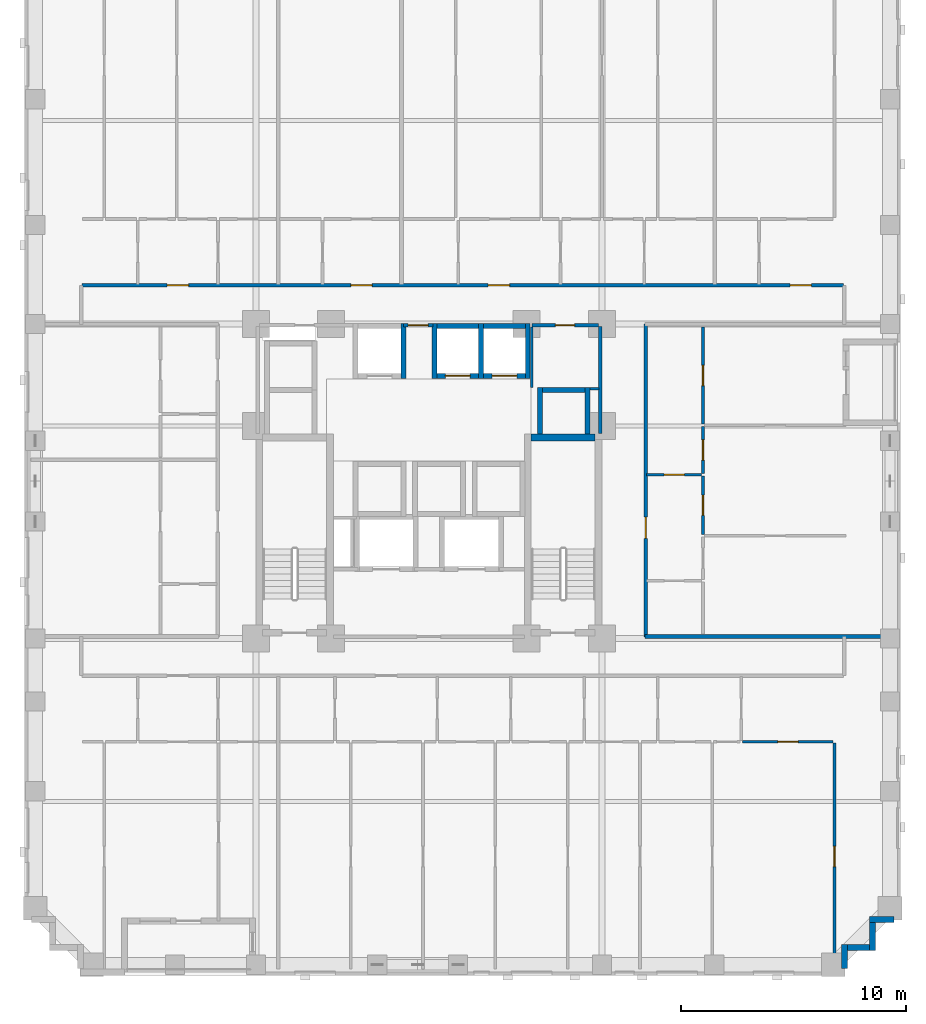
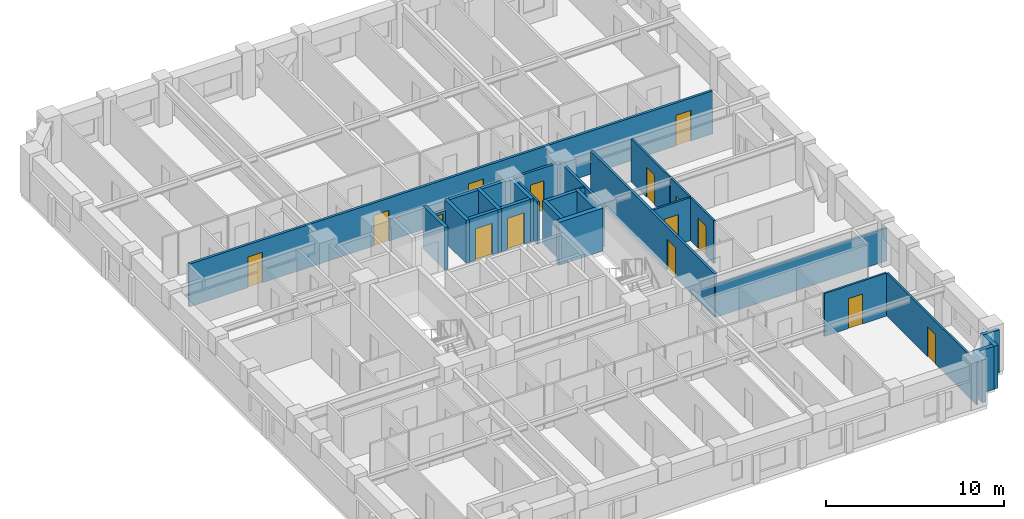
# One storey, part 6 of 14: 30 walls, 15 doors, 15 openings.
"""IFC4 building model written with IfcOpenShell, lengths in metres."""

from ifc_helpers import new_model, si_unit, derived_unit, direction, frame, frame_2d, origin, place, context, subcontext, project, spatial, rectangle, extrude, material, layer, layer_set, type_object, element, fill, save


model = new_model("IFC4")

# Units and contexts
model_context = context("Model", 3, precision=1e-05, world=origin(), true_north=direction((0.0, 1.0)))
body_context = subcontext(model_context, "Body", "Model", "MODEL_VIEW")
ifc_project = project(units=[si_unit("LENGTHUNIT", "METRE"), si_unit("AREAUNIT", "SQUARE_METRE"), si_unit("VOLUMEUNIT", "CUBIC_METRE"), si_unit("PLANEANGLEUNIT", "RADIAN"), si_unit("MASSUNIT", "GRAM", prefix="KILO"), derived_unit("THERMALTRANSMITTANCEUNIT", [(si_unit("MASSUNIT", "GRAM", prefix="KILO"), 1), (si_unit("TIMEUNIT", "SECOND"), -3), (si_unit("THERMODYNAMICTEMPERATUREUNIT", "KELVIN"), -1)])], contexts=[model_context])

# Site, building, storey
site_placement = place(None, origin())
site = spatial("IfcSite", under=ifc_project, at=site_placement, CompositionType="ELEMENT")
building_placement = place(site_placement, origin())
building = spatial("IfcBuilding", under=site, at=building_placement, Name="Korrvale Station Residences", CompositionType="ELEMENT")
storey_placement = place(building_placement, frame((0.0, 0.0, 64.199951171875)))
storey = spatial("IfcBuildingStorey", under=building, at=storey_placement, Name="L17", CompositionType="ELEMENT", Elevation=64.199951171875)

# Walls
ifc_material_1 = material(Name="Concrete C70/85", Category="concrete")
ifc_layer_1 = layer(ifc_material_1, 0.300048828125, Name="Concrete C70/85")
ifc_layer_set_1 = layer_set([ifc_layer_1], Name="Concrete C70/85")
wall_type_1 = type_object("IfcWallType", Name="WAL-CORE-300-C70", PredefinedType="SHEAR", material=ifc_layer_set_1)
wall_1_placement = place(storey_placement, frame((30.050048828125, 23.949951171875, 0.0), z_axis=(0.0, 0.0, 1.0), x_axis=(1.0, 0.0, 0.0)))
element("IfcWall", 1, at=wall_1_placement, inside=storey, type_object=wall_type_1, Name="L17 ST-2 Core Shear Wall North", PredefinedType="SHEAR", context=body_context, shape_type="SweptSolid", body=[
    extrude(rectangle(XDim=2.849853515625, YDim=0.300048828125, at=frame_2d((1.4248046875, 0.0))), origin(), (0.0, 0.0, 1.0), 2.93994140625),
])
ifc_material_2 = material(Name="Precast concrete C45/55", Category="concrete")
ifc_layer_2 = layer(ifc_material_2, 0.260009765625, Name="Precast concrete C45/55")
ifc_layer_set_2 = layer_set([ifc_layer_2], Name="Precast concrete C45/55")
wall_type_2 = type_object("IfcWallType", Name="WAL-EXT-LOG260", PredefinedType="SOLIDWALL", material=ifc_layer_set_2)
wall_2_placement = place(storey_placement, frame((46.197998046875, 2.5, 0.0), z_axis=(0.0, 0.0, 1.0), x_axis=(-1.0, 0.0, 0.0)))
element("IfcWall", 2, at=wall_2_placement, inside=storey, type_object=wall_type_2, Name="L17 Serrated Corner Precast Step SE-1", PredefinedType="SOLIDWALL", context=body_context, shape_type="SweptSolid", body=[
    extrude(rectangle(XDim=1.077880859375, YDim=0.260009765625, at=frame_2d((0.5390625, 0.0))), origin(), (0.0, 0.0, 1.0), 2.93994140625),
])
wall_3_placement = place(storey_placement, frame((45.25, 2.367919921875, 0.0), z_axis=(0.0, 0.0, 1.0), x_axis=(0.0, -1.0, 0.0)))
element("IfcWall", 3, at=wall_3_placement, inside=storey, type_object=wall_type_2, Name="L17 Serrated Corner Precast Step SE-2", PredefinedType="SOLIDWALL", context=body_context, shape_type="SweptSolid", body=[
    extrude(rectangle(XDim=1.247802734375, YDim=0.260009765625, at=frame_2d((0.6240234375, 0.0))), origin(), (0.0, 0.0, 1.0), 2.93994140625),
])
wall_4_placement = place(storey_placement, frame((45.117919921875, 1.25, 0.0), z_axis=(0.0, 0.0, 1.0), x_axis=(-1.0, 0.0, 0.0)))
element("IfcWall", 4, at=wall_4_placement, inside=storey, type_object=wall_type_2, Name="L17 Serrated Corner Precast Step SE-3", PredefinedType="SOLIDWALL", context=body_context, shape_type="SweptSolid", body=[
    extrude(rectangle(XDim=0.98583984375, YDim=0.260009765625, at=frame_2d((0.492919921875, 0.0))), origin(), (0.0, 0.0, 1.0), 2.93994140625),
])
wall_5_placement = place(storey_placement, frame((44.0, 1.3798828125, 0.0), z_axis=(0.0, 0.0, 1.0), x_axis=(0.0, -1.0, 0.0)))
element("IfcWall", 5, at=wall_5_placement, inside=storey, type_object=wall_type_2, Name="L17 Serrated Corner Precast Step SE-4", PredefinedType="SOLIDWALL", context=body_context, shape_type="SweptSolid", body=[
    extrude(rectangle(XDim=1.077880859375, YDim=0.260009765625, at=frame_2d((0.5390625, 0.0))), origin(), (0.0, 0.0, 1.0), 2.93994140625),
])
ifc_material_3 = material(Name="Acoustic steel-stud gypsum board partition", Category="steel")
ifc_layer_3 = layer(ifc_material_3, 0.1201171875, Name="Acoustic steel-stud gypsum board partition")
ifc_layer_set_3 = layer_set([ifc_layer_3], Name="Acoustic steel-stud gypsum board partition")
wall_type_3 = type_object("IfcWallType", Name="WAL-PART-125", PredefinedType="PARTITIONING", material=ifc_layer_set_3)
wall_6_placement = place(storey_placement, frame((30.080078125, 26.179931640625, 0.0), z_axis=(0.0, 0.0, 1.0), x_axis=(0.0, 1.0, 0.0)))
element("IfcWall", 6, at=wall_6_placement, inside=storey, type_object=wall_type_3, Name="L17 Core Partition CW-CS-W", PredefinedType="PARTITIONING", context=body_context, shape_type="SweptSolid", body=[
    extrude(rectangle(XDim=2.68017578125, YDim=0.1201171875, at=frame_2d((1.340087890625, 0.0))), origin(), (0.0, 0.0, 1.0), 2.93994140625),
])
wall_7_placement = place(storey_placement, frame((32.679931640625, 26.1201171875, 0.0), z_axis=(0.0, 0.0, 1.0), x_axis=(1.0, 0.0, 0.0)))
element("IfcWall", 7, at=wall_7_placement, inside=storey, type_object=wall_type_3, Name="L17 Core Partition CW-CS-S", PredefinedType="PARTITIONING", context=body_context, shape_type="SweptSolid", body=[
    extrude(rectangle(XDim=0.380126953125, YDim=0.1201171875, at=frame_2d((0.18994140625, 0.0))), origin(), (0.0, 0.0, 1.0), 2.93994140625),
])

# Wall, opening, door
wall_8_placement = place(storey_placement, frame((39.466064453125, 10.39990234375, 0.0), z_axis=(0.0, 0.0, 1.0), x_axis=(1.0, 0.0, 0.0)))
wall_8 = element("IfcWall", 8, at=wall_8_placement, inside=storey, type_object=wall_type_3, Name="L17 Suite Partition U02-H613", PredefinedType="PARTITIONING", context=body_context, shape_type="SweptSolid", body=[
    extrude(rectangle(XDim=4.02392578125, YDim=0.1201171875, at=frame_2d((2.011962890625, 0.0))), origin(), (0.0, 0.0, 1.0), 2.93994140625),
])
opening_1_placement = place(wall_8_placement, frame((1.56201171875, 0.0, 0.0)))
opening_1 = element("IfcOpeningElement", 9, at=opening_1_placement, cuts=wall_8, Name="Opening DI-900", PredefinedType="OPENING", context=body_context, shape_type="SweptSolid", body=[
    extrude(rectangle(XDim=0.89990234375, YDim=2.050048828125, at=frame_2d((0.449951171875, 1.02490234375))), frame((0.0, 0.070068359375, 0.0), z_axis=(0.0, -1.0, 0.0), x_axis=(1.0, 0.0, 0.0)), (0.0, 0.0, 1.0), 0.14013671875),
])
ifc_material_4 = material(Name="Painted solid-core timber interior room door", Category="wood")
door_type_1 = type_object("IfcDoorType", Name="DR-INT-900", OperationType="NOTDEFINED", PredefinedType="DOOR", material=ifc_material_4)
door_1_placement = place(opening_1_placement, origin())
door_1 = element("IfcDoor", 10, at=door_1_placement, inside=storey, type_object=door_type_1, Name="L17 Studio Apartment L17-U02 Storage Closet 3 Door", OperationType="SINGLE_SWING_RIGHT", OverallHeight=2.050048828125, OverallWidth=0.89990234375, PredefinedType="DOOR", context=body_context, shape_type="SweptSolid", body=[
    extrude(rectangle(XDim=0.89990234375, YDim=2.050048828125, at=frame_2d((0.449951171875, 1.02490234375))), frame((0.0, 0.02490234375, 0.0), z_axis=(0.0, -1.0, 0.0), x_axis=(1.0, 0.0, 0.0)), (0.0, 0.0, 1.0), 0.050048828125),
])
fill(opening_1, door_1)

wall_9_placement = place(storey_placement, frame((43.550048828125, 0.280029296875, 0.0), z_axis=(0.0, 0.0, 1.0), x_axis=(0.0, 1.0, 0.0)))
wall_9 = element("IfcWall", 11, at=wall_9_placement, inside=storey, type_object=wall_type_3, Name="L17 Suite Partition U02-V1314", PredefinedType="PARTITIONING", context=body_context, shape_type="SweptSolid", body=[
    extrude(rectangle(XDim=10.06005859375, YDim=0.1201171875, at=frame_2d((5.030029296875, 0.0))), origin(), (0.0, 0.0, 1.0), 2.93994140625),
])
opening_2_placement = place(wall_9_placement, frame((4.56494140625, 0.0, 0.0)))
opening_2 = element("IfcOpeningElement", 12, at=opening_2_placement, cuts=wall_9, Name="Opening DI-900", PredefinedType="OPENING", context=body_context, shape_type="SweptSolid", body=[
    extrude(rectangle(XDim=0.89990234375, YDim=2.050048828125, at=frame_2d((0.449951171875, 1.02490234375))), frame((0.0, 0.070068359375, 0.0), z_axis=(0.0, -1.0, 0.0), x_axis=(1.0, 0.0, 0.0)), (0.0, 0.0, 1.0), 0.14013671875),
])
door_2_placement = place(opening_2_placement, origin())
door_2 = element("IfcDoor", 13, at=door_2_placement, inside=storey, type_object=door_type_1, Name="L17 Studio Apartment L17-U02 Studio Living Room Door", OperationType="SINGLE_SWING_LEFT", OverallHeight=2.050048828125, OverallWidth=0.89990234375, PredefinedType="DOOR", context=body_context, shape_type="SweptSolid", body=[
    extrude(rectangle(XDim=0.89990234375, YDim=2.050048828125, at=frame_2d((0.449951171875, 1.02490234375))), frame((0.0, 0.02490234375, 0.0), z_axis=(0.0, -1.0, 0.0), x_axis=(1.0, 0.0, 0.0)), (0.0, 0.0, 1.0), 0.050048828125),
])
fill(opening_2, door_2)

wall_10_placement = place(storey_placement, frame((35.18994140625, 22.2900390625, 0.0), z_axis=(0.0, 0.0, 1.0), x_axis=(1.0, 0.0, 0.0)))
wall_10 = element("IfcWall", 14, at=wall_10_placement, inside=storey, type_object=wall_type_3, Name="L17 Suite Partition U09-H02", PredefinedType="PARTITIONING", context=body_context, shape_type="SweptSolid", body=[
    extrude(rectangle(XDim=2.449951171875, YDim=0.1201171875, at=frame_2d((1.22509765625, 0.0))), origin(), (0.0, 0.0, 1.0), 2.93994140625),
])
opening_3_placement = place(wall_10_placement, frame((0.77490234375, 0.0, 0.0)))
opening_3 = element("IfcOpeningElement", 15, at=opening_3_placement, cuts=wall_10, Name="Opening DI-900", PredefinedType="OPENING", context=body_context, shape_type="SweptSolid", body=[
    extrude(rectangle(XDim=0.89990234375, YDim=2.050048828125, at=frame_2d((0.449951171875, 1.02490234375))), frame((0.0, 0.070068359375, 0.0), z_axis=(0.0, -1.0, 0.0), x_axis=(1.0, 0.0, 0.0)), (0.0, 0.0, 1.0), 0.14013671875),
])
door_3_placement = place(opening_3_placement, origin())
door_3 = element("IfcDoor", 16, at=door_3_placement, inside=storey, type_object=door_type_1, Name="L17 Apartment 2BR L17-U09 Wardrobe Storage Room Door", OperationType="SINGLE_SWING_LEFT", OverallHeight=2.050048828125, OverallWidth=0.89990234375, PredefinedType="DOOR", context=body_context, shape_type="SweptSolid", body=[
    extrude(rectangle(XDim=0.89990234375, YDim=2.050048828125, at=frame_2d((0.449951171875, 1.02490234375))), frame((0.0, 0.02490234375, 0.0), z_axis=(0.0, -1.0, 0.0), x_axis=(1.0, 0.0, 0.0)), (0.0, 0.0, 1.0), 0.050048828125),
])
fill(opening_3, door_3)

wall_11_placement = place(storey_placement, frame((37.699951171875, 22.35009765625, 0.0), z_axis=(0.0, 0.0, 1.0), x_axis=(0.0, 1.0, 0.0)))
wall_11 = element("IfcWall", 17, at=wall_11_placement, inside=storey, type_object=wall_type_3, Name="L17 Suite Partition U09-V04", PredefinedType="PARTITIONING", context=body_context, shape_type="SweptSolid", body=[
    extrude(rectangle(XDim=2.081787109375, YDim=0.1201171875, at=frame_2d((1.041015625, 0.0))), origin(), (0.0, 0.0, 1.0), 2.93994140625),
])
opening_4_placement = place(wall_11_placement, frame((0.591064453125, 0.0, 0.0)))
opening_4 = element("IfcOpeningElement", 18, at=opening_4_placement, cuts=wall_11, Name="Opening DI-900", PredefinedType="OPENING", context=body_context, shape_type="SweptSolid", body=[
    extrude(rectangle(XDim=0.89990234375, YDim=2.050048828125, at=frame_2d((0.449951171875, 1.02490234375))), frame((0.0, 0.070068359375, 0.0), z_axis=(0.0, -1.0, 0.0), x_axis=(1.0, 0.0, 0.0)), (0.0, 0.0, 1.0), 0.14013671875),
])
door_4_placement = place(opening_4_placement, origin())
door_4 = element("IfcDoor", 19, at=door_4_placement, inside=storey, type_object=door_type_1, Name="L17 Apartment 2BR L17-U09 Wardrobe Storage Room Door", OperationType="SINGLE_SWING_RIGHT", OverallHeight=2.050048828125, OverallWidth=0.89990234375, PredefinedType="DOOR", context=body_context, shape_type="SweptSolid", body=[
    extrude(rectangle(XDim=0.89990234375, YDim=2.050048828125, at=frame_2d((0.449951171875, 1.02490234375))), frame((0.0, 0.02490234375, 0.0), z_axis=(0.0, -1.0, 0.0), x_axis=(1.0, 0.0, 0.0)), (0.0, 0.0, 1.0), 0.050048828125),
])
fill(opening_4, door_4)

wall_12_placement = place(storey_placement, frame((37.699951171875, 24.552001953125, 0.0), z_axis=(0.0, 0.0, 1.0), x_axis=(0.0, 1.0, 0.0)))
wall_12 = element("IfcWall", 20, at=wall_12_placement, inside=storey, type_object=wall_type_3, Name="L17 Suite Partition U09-V05", PredefinedType="PARTITIONING", context=body_context, shape_type="SweptSolid", body=[
    extrude(rectangle(XDim=4.30810546875, YDim=0.1201171875, at=frame_2d((2.154052734375, 0.0))), origin(), (0.0, 0.0, 1.0), 2.93994140625),
])
opening_5_placement = place(wall_12_placement, frame((1.7041015625, 0.0, 0.0)))
opening_5 = element("IfcOpeningElement", 21, at=opening_5_placement, cuts=wall_12, Name="Opening DI-900", PredefinedType="OPENING", context=body_context, shape_type="SweptSolid", body=[
    extrude(rectangle(XDim=0.89990234375, YDim=2.050048828125, at=frame_2d((0.449951171875, 1.02490234375))), frame((0.0, 0.070068359375, 0.0), z_axis=(0.0, -1.0, 0.0), x_axis=(1.0, 0.0, 0.0)), (0.0, 0.0, 1.0), 0.14013671875),
])
door_5_placement = place(opening_5_placement, origin())
door_5 = element("IfcDoor", 22, at=door_5_placement, inside=storey, type_object=door_type_1, Name="L17 Apartment 2BR L17-U09 Wardrobe Storage Room Door", OperationType="SINGLE_SWING_LEFT", OverallHeight=2.050048828125, OverallWidth=0.89990234375, PredefinedType="DOOR", context=body_context, shape_type="SweptSolid", body=[
    extrude(rectangle(XDim=0.89990234375, YDim=2.050048828125, at=frame_2d((0.449951171875, 1.02490234375))), frame((0.0, 0.02490234375, 0.0), z_axis=(0.0, -1.0, 0.0), x_axis=(1.0, 0.0, 0.0)), (0.0, 0.0, 1.0), 0.050048828125),
])
fill(opening_5, door_5)

wall_13_placement = place(storey_placement, frame((37.699951171875, 19.637939453125, 0.0), z_axis=(0.0, 0.0, 1.0), x_axis=(0.0, 1.0, 0.0)))
wall_13 = element("IfcWall", 23, at=wall_13_placement, inside=storey, type_object=wall_type_3, Name="L17 Suite Partition U09-V24", PredefinedType="PARTITIONING", context=body_context, shape_type="SweptSolid", body=[
    extrude(rectangle(XDim=2.592041015625, YDim=0.1201171875, at=frame_2d((1.2958984375, 0.0))), origin(), (0.0, 0.0, 1.0), 2.93994140625),
])
opening_6_placement = place(wall_13_placement, frame((0.845947265625, 0.0, 0.0)))
opening_6 = element("IfcOpeningElement", 24, at=opening_6_placement, cuts=wall_13, Name="Opening DI-900", PredefinedType="OPENING", context=body_context, shape_type="SweptSolid", body=[
    extrude(rectangle(XDim=0.89990234375, YDim=2.050048828125, at=frame_2d((0.449951171875, 1.02490234375))), frame((0.0, 0.070068359375, 0.0), z_axis=(0.0, -1.0, 0.0), x_axis=(1.0, 0.0, 0.0)), (0.0, 0.0, 1.0), 0.14013671875),
])
door_6_placement = place(opening_6_placement, origin())
door_6 = element("IfcDoor", 25, at=door_6_placement, inside=storey, type_object=door_type_1, Name="L17 Apartment 2BR L17-U09 Kitchen Door", OperationType="SINGLE_SWING_RIGHT", OverallHeight=2.050048828125, OverallWidth=0.89990234375, PredefinedType="DOOR", context=body_context, shape_type="SweptSolid", body=[
    extrude(rectangle(XDim=0.89990234375, YDim=2.050048828125, at=frame_2d((0.449951171875, 1.02490234375))), frame((0.0, 0.02490234375, 0.0), z_axis=(0.0, -1.0, 0.0), x_axis=(1.0, 0.0, 0.0)), (0.0, 0.0, 1.0), 0.050048828125),
])
fill(opening_6, door_6)

# Wall
ifc_material_5 = material(Name="Fire-rated twin-stud gypsum and mineral wool shaftwall assembly", Category="gypsum")
ifc_layer_4 = layer(ifc_material_5, 0.159912109375, Name="Fire-rated twin-stud gypsum and mineral wool shaftwall assembly")
ifc_layer_set_4 = layer_set([ifc_layer_4], Name="Fire-rated twin-stud gypsum and mineral wool shaftwall assembly")
wall_type_4 = type_object("IfcWallType", Name="WAL-PART-200", PredefinedType="PARTITIONING", material=ifc_layer_set_4)
wall_14_placement = place(storey_placement, frame((33.1201171875, 24.1201171875, 0.0), z_axis=(0.0, 0.0, 1.0), x_axis=(0.0, 1.0, 0.0)))
element("IfcWall", 26, at=wall_14_placement, inside=storey, type_object=wall_type_4, Name="L17 Core Partition CW-E-N", PredefinedType="PARTITIONING", context=body_context, shape_type="SweptSolid", body=[
    extrude(rectangle(XDim=4.759765625, YDim=0.159912109375, at=frame_2d((2.3798828125, 0.0))), origin(), (0.0, 0.0, 1.0), 2.93994140625),
])

# Wall, opening, door
wall_15_placement = place(storey_placement, frame((24.360107421875, 28.949951171875, 0.0), z_axis=(0.0, 0.0, 1.0), x_axis=(1.0, 0.0, 0.0)))
wall_15 = element("IfcWall", 27, at=wall_15_placement, inside=storey, type_object=wall_type_4, Name="L17 Core Partition CW-LLOB-N", PredefinedType="PARTITIONING", context=body_context, shape_type="SweptSolid", body=[
    extrude(rectangle(XDim=1.31982421875, YDim=0.159912109375, at=frame_2d((0.659912109375, 0.0))), origin(), (0.0, 0.0, 1.0), 2.23193359375),
])
opening_7_placement = place(wall_15_placement, frame((0.2099609375, 0.0, 0.0)))
opening_7 = element("IfcOpeningElement", 28, at=opening_7_placement, cuts=wall_15, Name="Opening DI-900", PredefinedType="OPENING", context=body_context, shape_type="SweptSolid", body=[
    extrude(rectangle(XDim=0.89990234375, YDim=2.050048828125, at=frame_2d((0.449951171875, 1.02490234375))), frame((0.0, 0.08984375, 0.0), z_axis=(0.0, -1.0, 0.0), x_axis=(1.0, 0.0, 0.0)), (0.0, 0.0, 1.0), 0.179931640625),
])
door_7_placement = place(opening_7_placement, origin())
door_7 = element("IfcDoor", 29, at=door_7_placement, inside=storey, type_object=door_type_1, Name="L17 Central Hallway North Passage Door", OperationType="SINGLE_SWING_LEFT", OverallHeight=2.050048828125, OverallWidth=0.89990234375, PredefinedType="DOOR", context=body_context, shape_type="SweptSolid", body=[
    extrude(rectangle(XDim=0.89990234375, YDim=2.050048828125, at=frame_2d((0.449951171875, 1.02490234375))), frame((0.0, 0.02490234375, 0.0), z_axis=(0.0, -1.0, 0.0), x_axis=(1.0, 0.0, 0.0)), (0.0, 0.0, 1.0), 0.050048828125),
])
fill(opening_7, door_7)

wall_16_placement = place(storey_placement, frame((30.080078125, 28.949951171875, 0.0), z_axis=(0.0, 0.0, 1.0), x_axis=(1.0, 0.0, 0.0)))
wall_16 = element("IfcWall", 30, at=wall_16_placement, inside=storey, type_object=wall_type_4, Name="L17 Core Partition CW-CS-N", PredefinedType="PARTITIONING", context=body_context, shape_type="SweptSolid", body=[
    extrude(rectangle(XDim=2.9599609375, YDim=0.159912109375, at=frame_2d((1.47998046875, 0.0))), origin(), (0.0, 0.0, 1.0), 2.93994140625),
])
opening_8_placement = place(wall_16_placement, frame((1.044921875, 0.0, 0.0)))
opening_8 = element("IfcOpeningElement", 31, at=opening_8_placement, cuts=wall_16, Name="Opening DB-860", PredefinedType="OPENING", context=body_context, shape_type="SweptSolid", body=[
    extrude(rectangle(XDim=0.860107421875, YDim=2.050048828125, at=frame_2d((0.43017578125, 1.02490234375))), frame((0.0, 0.08984375, 0.0), z_axis=(0.0, -1.0, 0.0), x_axis=(1.0, 0.0, 0.0)), (0.0, 0.0, 1.0), 0.179931640625),
])
ifc_material_6 = material(Name="Moisture-resistant solid-core bathroom door", Category="timber")
door_type_2 = type_object("IfcDoorType", Name="DR-BATH-860", OperationType="NOTDEFINED", PredefinedType="DOOR", material=ifc_material_6)
door_8_placement = place(opening_8_placement, origin())
door_8 = element("IfcDoor", 32, at=door_8_placement, inside=storey, type_object=door_type_2, Name="L17 Parcel Room Door", OperationType="SINGLE_SWING_LEFT", OverallHeight=2.050048828125, OverallWidth=0.860107421875, PredefinedType="DOOR", context=body_context, shape_type="SweptSolid", body=[
    extrude(rectangle(XDim=0.860107421875, YDim=2.050048828125, at=frame_2d((0.43017578125, 1.02490234375))), frame((0.0, 0.02490234375, 0.0), z_axis=(0.0, -1.0, 0.0), x_axis=(1.0, 0.0, 0.0)), (0.0, 0.0, 1.0), 0.050048828125),
])
fill(opening_8, door_8)

# Wall
wall_17_placement = place(storey_placement, frame((35.110107421875, 15.090087890625, 0.0), z_axis=(0.0, 0.0, 1.0), x_axis=(1.0, 0.0, 0.0)))
element("IfcWall", 33, at=wall_17_placement, inside=storey, type_object=wall_type_4, Name="L17 East Wing South Corridor Wall", PredefinedType="PARTITIONING", context=body_context, shape_type="SweptSolid", body=[
    extrude(rectangle(XDim=11.10986328125, YDim=0.159912109375, at=frame_2d((5.554931640625, 0.0))), origin(), (0.0, 0.0, 1.0), 2.23193359375),
])

# Wall, openings, doors
wall_18_placement = place(storey_placement, frame((10.050048828125, 30.719970703125, 0.0), z_axis=(0.0, 0.0, 1.0), x_axis=(1.0, 0.0, 0.0)))
wall_18 = element("IfcWall", 34, at=wall_18_placement, inside=storey, type_object=wall_type_4, Name="L17 Rated Corridor Wall N", PredefinedType="PARTITIONING", context=body_context, shape_type="SweptSolid", body=[
    extrude(rectangle(XDim=33.89990234375, YDim=0.159912109375, at=frame_2d((16.949951171875, 0.0))), origin(), (0.0, 0.0, 1.0), 2.93994140625),
])
opening_9_placement = place(wall_18_placement, frame((3.800048828125, 0.0, 0.0)))
opening_9 = element("IfcOpeningElement", 35, at=opening_9_placement, cuts=wall_18, Name="Opening UD-950", PredefinedType="OPENING", context=body_context, shape_type="SweptSolid", body=[
    extrude(rectangle(XDim=0.949951171875, YDim=2.10009765625, at=frame_2d((0.47509765625, 1.050048828125))), frame((0.0, 0.08984375, 0.0), z_axis=(0.0, -1.0, 0.0), x_axis=(1.0, 0.0, 0.0)), (0.0, 0.0, 1.0), 0.179931640625),
])
opening_10_placement = place(wall_18_placement, frame((11.97705078125, 0.0, 0.0)))
opening_10 = element("IfcOpeningElement", 36, at=opening_10_placement, cuts=wall_18, Name="Opening UD-950", PredefinedType="OPENING", context=body_context, shape_type="SweptSolid", body=[
    extrude(rectangle(XDim=0.949951171875, YDim=2.10009765625, at=frame_2d((0.47509765625, 1.050048828125))), frame((0.0, 0.08984375, 0.0), z_axis=(0.0, -1.0, 0.0), x_axis=(1.0, 0.0, 0.0)), (0.0, 0.0, 1.0), 0.179931640625),
])
opening_11_placement = place(wall_18_placement, frame((18.090087890625, 0.0, 0.0)))
opening_11 = element("IfcOpeningElement", 37, at=opening_11_placement, cuts=wall_18, Name="Opening UD-950", PredefinedType="OPENING", context=body_context, shape_type="SweptSolid", body=[
    extrude(rectangle(XDim=0.949951171875, YDim=2.10009765625, at=frame_2d((0.47509765625, 1.050048828125))), frame((0.0, 0.08984375, 0.0), z_axis=(0.0, -1.0, 0.0), x_axis=(1.0, 0.0, 0.0)), (0.0, 0.0, 1.0), 0.179931640625),
])
opening_12_placement = place(wall_18_placement, frame((31.52490234375, 0.0, 0.0)))
opening_12 = element("IfcOpeningElement", 38, at=opening_12_placement, cuts=wall_18, Name="Opening UD-950", PredefinedType="OPENING", context=body_context, shape_type="SweptSolid", body=[
    extrude(rectangle(XDim=0.949951171875, YDim=2.10009765625, at=frame_2d((0.47509765625, 1.050048828125))), frame((0.0, 0.08984375, 0.0), z_axis=(0.0, -1.0, 0.0), x_axis=(1.0, 0.0, 0.0)), (0.0, 0.0, 1.0), 0.179931640625),
])
ifc_material_7 = material(Name="Solid-core acoustic oak apartment entrance door", Category="timber")
door_type_3 = type_object("IfcDoorType", Name="DR-UNIT-950", OperationType="NOTDEFINED", PredefinedType="DOOR", material=ifc_material_7)
door_9_placement = place(opening_9_placement, origin())
door_9 = element("IfcDoor", 39, at=door_9_placement, inside=storey, type_object=door_type_3, Name="L17 Apartment L17-U03 Entrance Door", OperationType="SINGLE_SWING_LEFT", OverallHeight=2.10009765625, OverallWidth=0.949951171875, PredefinedType="DOOR", context=body_context, shape_type="SweptSolid", body=[
    extrude(rectangle(XDim=0.949951171875, YDim=2.10009765625, at=frame_2d((0.47509765625, 1.050048828125))), frame((0.0, 0.02490234375, 0.0), z_axis=(0.0, -1.0, 0.0), x_axis=(1.0, 0.0, 0.0)), (0.0, 0.0, 1.0), 0.050048828125),
])
fill(opening_9, door_9)
door_10_placement = place(opening_10_placement, origin())
door_10 = element("IfcDoor", 40, at=door_10_placement, inside=storey, type_object=door_type_3, Name="L17 Apartment L17-U04 Entrance Door", OperationType="SINGLE_SWING_RIGHT", OverallHeight=2.10009765625, OverallWidth=0.949951171875, PredefinedType="DOOR", context=body_context, shape_type="SweptSolid", body=[
    extrude(rectangle(XDim=0.949951171875, YDim=2.10009765625, at=frame_2d((0.47509765625, 1.050048828125))), frame((0.0, 0.02490234375, 0.0), z_axis=(0.0, -1.0, 0.0), x_axis=(1.0, 0.0, 0.0)), (0.0, 0.0, 1.0), 0.050048828125),
])
fill(opening_10, door_10)
door_11_placement = place(opening_11_placement, origin())
door_11 = element("IfcDoor", 41, at=door_11_placement, inside=storey, type_object=door_type_3, Name="L17 Apartment L17-U05 Entrance Door", OperationType="SINGLE_SWING_LEFT", OverallHeight=2.10009765625, OverallWidth=0.949951171875, PredefinedType="DOOR", context=body_context, shape_type="SweptSolid", body=[
    extrude(rectangle(XDim=0.949951171875, YDim=2.10009765625, at=frame_2d((0.47509765625, 1.050048828125))), frame((0.0, 0.02490234375, 0.0), z_axis=(0.0, -1.0, 0.0), x_axis=(1.0, 0.0, 0.0)), (0.0, 0.0, 1.0), 0.050048828125),
])
fill(opening_11, door_11)
door_12_placement = place(opening_12_placement, origin())
door_12 = element("IfcDoor", 42, at=door_12_placement, inside=storey, type_object=door_type_3, Name="L17 Apartment L17-U06 Entrance Door", OperationType="SINGLE_SWING_RIGHT", OverallHeight=2.10009765625, OverallWidth=0.949951171875, PredefinedType="DOOR", context=body_context, shape_type="SweptSolid", body=[
    extrude(rectangle(XDim=0.949951171875, YDim=2.10009765625, at=frame_2d((0.47509765625, 1.050048828125))), frame((0.0, 0.02490234375, 0.0), z_axis=(0.0, -1.0, 0.0), x_axis=(1.0, 0.0, 0.0)), (0.0, 0.0, 1.0), 0.050048828125),
])
fill(opening_12, door_12)

# Wall, opening, door
wall_19_placement = place(storey_placement, frame((35.14990234375, 15.070068359375, 0.0), z_axis=(0.0, 0.0, 1.0), x_axis=(0.0, 1.0, 0.0)))
wall_19 = element("IfcWall", 43, at=wall_19_placement, inside=storey, type_object=wall_type_4, Name="L17 Rated Corridor Wall E", PredefinedType="PARTITIONING", context=body_context, shape_type="SweptSolid", body=[
    extrude(rectangle(XDim=13.929931640625, YDim=0.159912109375, at=frame_2d((6.96484375, 0.0))), origin(), (0.0, 0.0, 1.0), 2.93994140625),
])
opening_13_placement = place(wall_19_placement, frame((4.385009765625, 0.0, 0.0)))
opening_13 = element("IfcOpeningElement", 44, at=opening_13_placement, cuts=wall_19, Name="Opening UD-950", PredefinedType="OPENING", context=body_context, shape_type="SweptSolid", body=[
    extrude(rectangle(XDim=0.949951171875, YDim=2.10009765625, at=frame_2d((0.47509765625, 1.050048828125))), frame((0.0, 0.08984375, 0.0), z_axis=(0.0, -1.0, 0.0), x_axis=(1.0, 0.0, 0.0)), (0.0, 0.0, 1.0), 0.179931640625),
])
door_13_placement = place(opening_13_placement, origin())
door_13 = element("IfcDoor", 45, at=door_13_placement, inside=storey, type_object=door_type_3, Name="L17 Apartment L17-U09 Entrance Door", OperationType="SINGLE_SWING_LEFT", OverallHeight=2.10009765625, OverallWidth=0.949951171875, PredefinedType="DOOR", context=body_context, shape_type="SweptSolid", body=[
    extrude(rectangle(XDim=0.949951171875, YDim=2.10009765625, at=frame_2d((0.47509765625, 1.050048828125))), frame((0.0, 0.02490234375, 0.0), z_axis=(0.0, -1.0, 0.0), x_axis=(1.0, 0.0, 0.0)), (0.0, 0.0, 1.0), 0.050048828125),
])
fill(opening_13, door_13)

# Wall
ifc_layer_5 = layer(ifc_material_1, 0.219970703125, Name="Concrete C70/85")
ifc_layer_set_5 = layer_set([ifc_layer_5], Name="Concrete C70/85")
wall_type_5 = type_object("IfcWallType", Name="WAL-SHAFT-220-C70", PredefinedType="SHEAR", material=ifc_layer_set_5)
wall_20_placement = place(storey_placement, frame((24.360107421875, 26.580078125, 0.0), z_axis=(0.0, 0.0, 1.0), x_axis=(0.0, 1.0, 0.0)))
element("IfcWall", 46, at=wall_20_placement, inside=storey, type_object=wall_type_5, Name="L17 Elevator PL-1 Hoistway Wall East", PredefinedType="SHEAR", context=body_context, shape_type="SweptSolid", body=[
    extrude(rectangle(XDim=2.43994140625, YDim=0.219970703125, at=frame_2d((1.219970703125, 0.0))), origin(), (0.0, 0.0, 1.0), 2.93994140625),
])

# Wall, opening, door
wall_21_placement = place(storey_placement, frame((25.85009765625, 26.68994140625, 0.0), z_axis=(0.0, 0.0, 1.0), x_axis=(1.0, 0.0, 0.0)))
wall_21 = element("IfcWall", 47, at=wall_21_placement, inside=storey, type_object=wall_type_5, Name="L17 Elevator PL-2 Hoistway Wall South", PredefinedType="SHEAR", context=body_context, shape_type="SweptSolid", body=[
    extrude(rectangle(XDim=1.85986328125, YDim=0.219970703125, at=frame_2d((0.929931640625, 0.0))), origin(), (0.0, 0.0, 1.0), 2.93994140625),
])
opening_14_placement = place(wall_21_placement, frame((0.3798828125, 0.0, 0.0)))
opening_14 = element("IfcOpeningElement", 48, at=opening_14_placement, cuts=wall_21, Name="Opening LD-1100", PredefinedType="OPENING", context=body_context, shape_type="SweptSolid", body=[
    extrude(rectangle(XDim=1.10009765625, YDim=2.14990234375, at=frame_2d((0.550048828125, 1.074951171875))), frame((0.0, 0.1201171875, 0.0), z_axis=(0.0, -1.0, 0.0), x_axis=(1.0, 0.0, 0.0)), (0.0, 0.0, 1.0), 0.239990234375),
])
ifc_material_8 = material(Name="Brushed stainless-steel elevator landing sliding door", Category="steel")
door_type_4 = type_object("IfcDoorType", Name="DR-LIFT-1100", OperationType="SLIDING_TO_LEFT", PredefinedType="DOOR", material=ifc_material_8)
door_14_placement = place(opening_14_placement, origin())
door_14 = element("IfcDoor", 49, at=door_14_placement, inside=storey, type_object=door_type_4, Name="L17 Elevator PL-2 Sliding Landing Door", OperationType="SLIDING_TO_LEFT", OverallHeight=2.14990234375, OverallWidth=1.10009765625, PredefinedType="DOOR", context=body_context, shape_type="SweptSolid", body=[
    extrude(rectangle(XDim=1.10009765625, YDim=2.14990234375, at=frame_2d((0.550048828125, 1.074951171875))), frame((0.0, 0.02490234375, 0.0), z_axis=(0.0, -1.0, 0.0), x_axis=(1.0, 0.0, 0.0)), (0.0, 0.0, 1.0), 0.050048828125),
])
fill(opening_14, door_14)

# Walls
wall_22_placement = place(storey_placement, frame((25.85009765625, 28.909912109375, 0.0), z_axis=(0.0, 0.0, 1.0), x_axis=(1.0, 0.0, 0.0)))
element("IfcWall", 50, at=wall_22_placement, inside=storey, type_object=wall_type_5, Name="L17 Elevator PL-2 Hoistway Wall North", PredefinedType="SHEAR", context=body_context, shape_type="SweptSolid", body=[
    extrude(rectangle(XDim=1.85986328125, YDim=0.219970703125, at=frame_2d((0.929931640625, 0.0))), origin(), (0.0, 0.0, 1.0), 2.93994140625),
])
for number, where, z_axis, x_axis, name in (
    (51, (25.739990234375, 26.580078125, 0.0), (0.0, 0.0, 1.0), (0.0, 1.0, 0.0), "L17 Elevator PL-2 Hoistway Wall West"),
    (52, (27.820068359375, 26.580078125, 0.0), (0.0, 0.0, 1.0), (0.0, 1.0, 0.0), "L17 Elevator PL-2 Hoistway Wall East"),
):
    element("IfcWall", number, at=place(storey_placement, frame(where, z_axis=z_axis, x_axis=x_axis)), inside=storey, type_object=wall_type_5, Name=name, PredefinedType="SHEAR", context=body_context, shape_type="SweptSolid", body=[
        extrude(rectangle(XDim=2.43994140625, YDim=0.219970703125, at=frame_2d((1.219970703125, 0.0))), origin(), (0.0, 0.0, 1.0), 2.93994140625),
    ])

# Wall, opening, door
wall_23_placement = place(storey_placement, frame((27.929931640625, 26.68994140625, 0.0), z_axis=(0.0, 0.0, 1.0), x_axis=(1.0, 0.0, 0.0)))
wall_23 = element("IfcWall", 53, at=wall_23_placement, inside=storey, type_object=wall_type_5, Name="L17 Elevator PL-3 Hoistway Wall South", PredefinedType="SHEAR", context=body_context, shape_type="SweptSolid", body=[
    extrude(rectangle(XDim=1.860107421875, YDim=0.219970703125, at=frame_2d((0.93017578125, 0.0))), origin(), (0.0, 0.0, 1.0), 2.93994140625),
])
opening_15_placement = place(wall_23_placement, frame((0.3798828125, 0.0, 0.0)))
opening_15 = element("IfcOpeningElement", 54, at=opening_15_placement, cuts=wall_23, Name="Opening LD-1100", PredefinedType="OPENING", context=body_context, shape_type="SweptSolid", body=[
    extrude(rectangle(XDim=1.10009765625, YDim=2.14990234375, at=frame_2d((0.550048828125, 1.074951171875))), frame((0.0, 0.1201171875, 0.0), z_axis=(0.0, -1.0, 0.0), x_axis=(1.0, 0.0, 0.0)), (0.0, 0.0, 1.0), 0.239990234375),
])
door_15_placement = place(opening_15_placement, origin())
door_15 = element("IfcDoor", 55, at=door_15_placement, inside=storey, type_object=door_type_4, Name="L17 Elevator PL-3 Sliding Landing Door", OperationType="SLIDING_TO_LEFT", OverallHeight=2.14990234375, OverallWidth=1.10009765625, PredefinedType="DOOR", context=body_context, shape_type="SweptSolid", body=[
    extrude(rectangle(XDim=1.10009765625, YDim=2.14990234375, at=frame_2d((0.550048828125, 1.074951171875))), frame((0.0, 0.02490234375, 0.0), z_axis=(0.0, -1.0, 0.0), x_axis=(1.0, 0.0, 0.0)), (0.0, 0.0, 1.0), 0.050048828125),
])
fill(opening_15, door_15)

# Walls
wall_24_placement = place(storey_placement, frame((27.929931640625, 28.909912109375, 0.0), z_axis=(0.0, 0.0, 1.0), x_axis=(1.0, 0.0, 0.0)))
element("IfcWall", 56, at=wall_24_placement, inside=storey, type_object=wall_type_5, Name="L17 Elevator PL-3 Hoistway Wall North", PredefinedType="SHEAR", context=body_context, shape_type="SweptSolid", body=[
    extrude(rectangle(XDim=1.860107421875, YDim=0.219970703125, at=frame_2d((0.93017578125, 0.0))), origin(), (0.0, 0.0, 1.0), 2.93994140625),
])
wall_25_placement = place(storey_placement, frame((29.89990234375, 26.580078125, 0.0), z_axis=(0.0, 0.0, 1.0), x_axis=(0.0, 1.0, 0.0)))
element("IfcWall", 57, at=wall_25_placement, inside=storey, type_object=wall_type_5, Name="L17 Elevator PL-3 Hoistway Wall East", PredefinedType="SHEAR", context=body_context, shape_type="SweptSolid", body=[
    extrude(rectangle(XDim=2.43994140625, YDim=0.219970703125, at=frame_2d((1.219970703125, 0.0))), origin(), (0.0, 0.0, 1.0), 2.93994140625),
])
wall_26_placement = place(storey_placement, frame((30.550048828125, 26.06005859375, 0.0), z_axis=(0.0, 0.0, 1.0), x_axis=(1.0, 0.0, 0.0)))
element("IfcWall", 58, at=wall_26_placement, inside=storey, type_object=wall_type_5, Name="L17 Elevator PH-3 Hoistway Wall North", PredefinedType="SHEAR", context=body_context, shape_type="SweptSolid", body=[
    extrude(rectangle(XDim=1.89990234375, YDim=0.219970703125, at=frame_2d((0.949951171875, 0.0))), origin(), (0.0, 0.0, 1.0), 2.93994140625),
])
for number, where, z_axis, x_axis, name in (
    (59, (30.43994140625, 24.10009765625, 0.0), (0.0, 0.0, 1.0), (0.0, 1.0, 0.0), "L17 Elevator PH-3 Hoistway Wall West"),
    (60, (32.56005859375, 24.10009765625, 0.0), (0.0, 0.0, 1.0), (0.0, 1.0, 0.0), "L17 Elevator PH-3 Hoistway Wall East"),
):
    element("IfcWall", number, at=place(storey_placement, frame(where, z_axis=z_axis, x_axis=x_axis)), inside=storey, type_object=wall_type_5, Name=name, PredefinedType="SHEAR", context=body_context, shape_type="SweptSolid", body=[
        extrude(rectangle(XDim=2.06982421875, YDim=0.219970703125, at=frame_2d((1.034912109375, 0.0))), origin(), (0.0, 0.0, 1.0), 2.93994140625),
    ])

save(model, "model.ifc")
